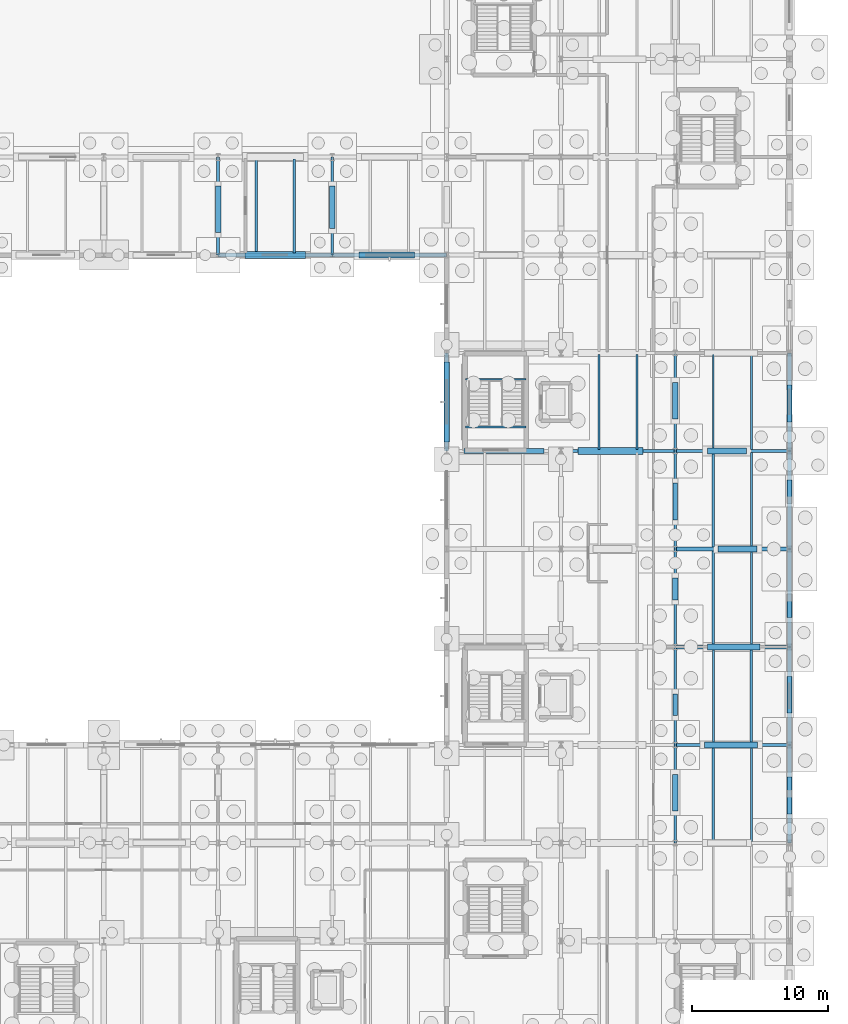
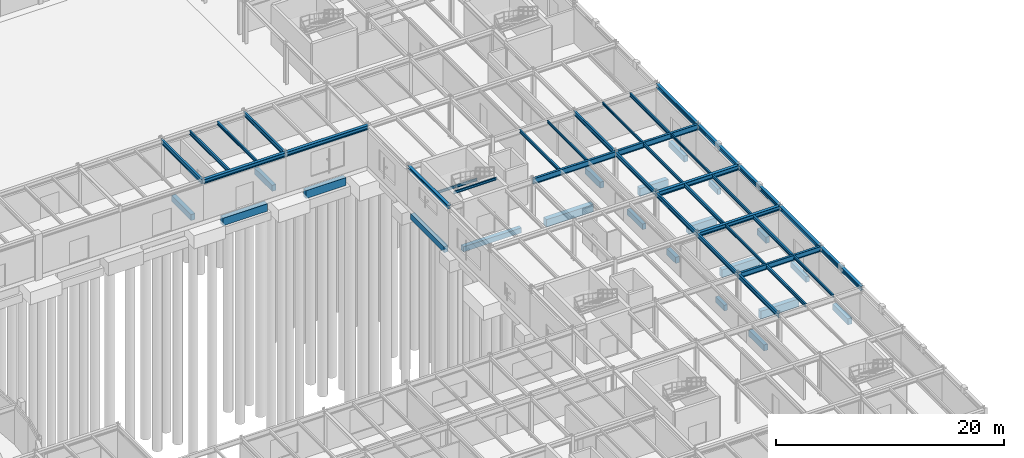
# One storey, part 45 of 93: 57 beams.
"""IFC4 building model written with IfcOpenShell, lengths in metres."""

from ifc_helpers import new_model, si_unit, derived_unit, direction, frame, origin, origin_2d, place, context, subcontext, project, spatial, rectangle, i_section, extrude, material, material_profile, profile_set, type_object, element, save


model = new_model("IFC4")

# Units and contexts
model_context = context("Model", 3, precision=1e-05, world=origin(), true_north=direction((0.0, 1.0)))
body_context = subcontext(model_context, "Body", "Model", "MODEL_VIEW")
ifc_project = project(units=[si_unit("LENGTHUNIT", "METRE"), si_unit("AREAUNIT", "SQUARE_METRE"), si_unit("VOLUMEUNIT", "CUBIC_METRE"), si_unit("PLANEANGLEUNIT", "RADIAN"), si_unit("MASSUNIT", "GRAM", prefix="KILO"), derived_unit("THERMALTRANSMITTANCEUNIT", [(si_unit("MASSUNIT", "GRAM", prefix="KILO"), 1), (si_unit("TIMEUNIT", "SECOND"), -3), (si_unit("THERMODYNAMICTEMPERATUREUNIT", "KELVIN"), -1)])], contexts=[model_context])

# Site, building, storey
site_placement = place(None, origin())
site = spatial("IfcSite", under=ifc_project, at=site_placement, CompositionType="ELEMENT")
building_placement = place(site_placement, origin())
building = spatial("IfcBuilding", under=site, at=building_placement, Name="Kharveza Railside Sports Centre", CompositionType="ELEMENT")
storey_placement = place(building_placement, origin())
storey = spatial("IfcBuildingStorey", under=building, at=storey_placement, Name="L00", CompositionType="ELEMENT", Elevation=0.0)

# Beams
ifc_material_1 = material(Name="Steel S355J2", Category="steel")
ifc_material_profile_1 = material_profile(ifc_material_1, i_section(OverallWidth=0.219970703125, OverallDepth=0.60009765625, WebThickness=0.011962890625, FlangeThickness=0.01904296875, FilletRadius=0.02392578125, at=origin_2d()), Name="IPE 600")
ifc_profile_set_1 = profile_set([ifc_material_profile_1], Name="Steel S355J2")
beam_type_1 = type_object("IfcBeamType", Name="BM-G01", PredefinedType="T_BEAM", material=ifc_profile_set_1)
beam_1_placement = place(storey_placement, frame((151.199951171875, 57.60009765625, 4.02001953125), z_axis=(1.0, 0.0, 0.0), x_axis=(0.0, 1.0, 0.0)))
element("IfcBeam", 1, at=beam_1_placement, inside=storey, type_object=beam_type_1, Name="BM-EW-L00-B01-X1512-Y576", PredefinedType="T_BEAM", context=body_context, shape_type="SweptSolid", body=[
    extrude(i_section(OverallWidth=0.219970703125, OverallDepth=0.60009765625, WebThickness=0.011962890625, FlangeThickness=0.01904296875, FilletRadius=0.02392578125, at=origin_2d()), origin(), (0.0, 0.0, 1.0), 8.400146484375),
])
beam_2_placement = place(storey_placement, frame((159.60009765625, 57.60009765625, 4.02001953125), z_axis=(1.0, 0.0, 0.0), x_axis=(0.0, 1.0, 0.0)))
element("IfcBeam", 2, at=beam_2_placement, inside=storey, type_object=beam_type_1, Name="BM-EW-L00-B01-X1596-Y576", PredefinedType="T_BEAM", context=body_context, shape_type="SweptSolid", body=[
    extrude(i_section(OverallWidth=0.219970703125, OverallDepth=0.60009765625, WebThickness=0.011962890625, FlangeThickness=0.01904296875, FilletRadius=0.02392578125, at=origin_2d()), origin(), (0.0, 0.0, 1.0), 8.39990234375),
])
ifc_material_profile_2 = material_profile(ifc_material_1, i_section(OverallWidth=0.2099609375, OverallDepth=0.550048828125, WebThickness=0.010986328125, FlangeThickness=0.01708984375, FilletRadius=0.02392578125, at=origin_2d()), Name="IPE 550")
ifc_profile_set_2 = profile_set([ifc_material_profile_2], Name="Steel S355J2")
beam_type_2 = type_object("IfcBeamType", Name="BM-G02", PredefinedType="T_BEAM", material=ifc_profile_set_2)
beam_3_placement = place(storey_placement, frame((159.60009765625, 36.0, 4.044921875), z_axis=(1.0, 0.0, 0.0), x_axis=(0.0, 1.0, 0.0)))
element("IfcBeam", 3, at=beam_3_placement, inside=storey, type_object=beam_type_2, Name="BM-EW-L00-B02-X1596-Y360", PredefinedType="T_BEAM", context=body_context, shape_type="SweptSolid", body=[
    extrude(i_section(OverallWidth=0.2099609375, OverallDepth=0.550048828125, WebThickness=0.010986328125, FlangeThickness=0.01708984375, FilletRadius=0.02392578125, at=origin_2d()), origin(), (0.0, 0.0, 1.0), 8.39990234375),
])
ifc_material_profile_3 = material_profile(ifc_material_1, i_section(OverallWidth=0.199951171875, OverallDepth=0.5, WebThickness=0.01025390625, FlangeThickness=0.01611328125, FilletRadius=0.02099609375, at=origin_2d()), Name="IPE 500")
ifc_profile_set_3 = profile_set([ifc_material_profile_3], Name="Steel S355J2")
beam_type_3 = type_object("IfcBeamType", Name="BM-G03", PredefinedType="T_BEAM", material=ifc_profile_set_3)
beam_4_placement = place(storey_placement, frame((126.0, 72.0, 4.070068359375), z_axis=(0.0, 1.0, 0.0), x_axis=(-1.0, 0.0, 0.0)))
element("IfcBeam", 4, at=beam_4_placement, inside=storey, type_object=beam_type_3, Name="BM-NS-L00-B03-X1260-Y720", PredefinedType="T_BEAM", context=body_context, shape_type="SweptSolid", body=[
    extrude(i_section(OverallWidth=0.199951171875, OverallDepth=0.5, WebThickness=0.01025390625, FlangeThickness=0.01611328125, FilletRadius=0.02099609375, at=origin_2d()), origin(), (0.0, 0.0, 1.0), 7.199951171875),
])
ifc_material_profile_4 = material_profile(ifc_material_1, i_section(OverallWidth=0.18994140625, OverallDepth=0.449951171875, WebThickness=0.009521484375, FlangeThickness=0.0146484375, FilletRadius=0.02099609375, at=origin_2d()), Name="IPE 450")
ifc_profile_set_4 = profile_set([ifc_material_profile_4], Name="Steel S355J2")
beam_type_4 = type_object("IfcBeamType", Name="BM-G04", PredefinedType="T_BEAM", material=ifc_profile_set_4)
for number, where, z_axis, x_axis, name in (
    (5, (134.39990234375, 72.0, 4.094970703125), (0.0, 1.0, 0.0), (-1.0, 0.0, 0.0), "BM-NS-L00-B04-X1344-Y720"),
    (6, (159.60009765625, 28.800048828125, 4.094970703125), (0.0, 1.0, 0.0), (-1.0, 0.0, 0.0), "BM-NS-L00-B04-X1596-Y288"),
    (7, (159.60009765625, 36.0, 4.094970703125), (0.0, 1.0, 0.0), (-1.0, 0.0, 0.0), "BM-NS-L00-B04-X1596-Y360"),
    (8, (159.60009765625, 43.199951171875, 4.094970703125), (0.0, 1.0, 0.0), (-1.0, 0.0, 0.0), "BM-NS-L00-B04-X1596-Y432"),
):
    element("IfcBeam", number, at=place(storey_placement, frame(where, z_axis=z_axis, x_axis=x_axis)), inside=storey, type_object=beam_type_4, Name=name, PredefinedType="T_BEAM", context=body_context, shape_type="SweptSolid", body=[
        extrude(i_section(OverallWidth=0.18994140625, OverallDepth=0.449951171875, WebThickness=0.009521484375, FlangeThickness=0.0146484375, FilletRadius=0.02099609375, at=origin_2d()), origin(), (0.0, 0.0, 1.0), 7.199951171875),
    ])
beam_5_placement = place(storey_placement, frame((159.60009765625, 50.39990234375, 4.094970703125), z_axis=(0.0, 1.0, 0.0), x_axis=(-1.0, 0.0, 0.0)))
element("IfcBeam", 9, at=beam_5_placement, inside=storey, type_object=beam_type_4, Name="BM-NS-L00-B04-X1596-Y504", PredefinedType="T_BEAM", context=body_context, shape_type="SweptSolid", body=[
    extrude(i_section(OverallWidth=0.18994140625, OverallDepth=0.449951171875, WebThickness=0.009521484375, FlangeThickness=0.0146484375, FilletRadius=0.02099609375, at=origin_2d()), origin(), (0.0, 0.0, 1.0), 7.2001953125),
])
beam_6_placement = place(storey_placement, frame((159.60009765625, 57.60009765625, 4.094970703125), z_axis=(0.0, 1.0, 0.0), x_axis=(-1.0, 0.0, 0.0)))
element("IfcBeam", 10, at=beam_6_placement, inside=storey, type_object=beam_type_4, Name="BM-NS-L00-B04-X1596-Y576", PredefinedType="T_BEAM", context=body_context, shape_type="SweptSolid", body=[
    extrude(i_section(OverallWidth=0.18994140625, OverallDepth=0.449951171875, WebThickness=0.009521484375, FlangeThickness=0.0146484375, FilletRadius=0.02099609375, at=origin_2d()), origin(), (0.0, 0.0, 1.0), 7.199951171875),
])
ifc_material_profile_5 = material_profile(ifc_material_1, i_section(OverallWidth=0.300048828125, OverallDepth=0.5, WebThickness=0.014404296875, FlangeThickness=0.028076171875, FilletRadius=0.027099609375, at=origin_2d()), Name="HEB 500")
ifc_profile_set_5 = profile_set([ifc_material_profile_5], Name="Steel S355J2")
beam_type_5 = type_object("IfcBeamType", Name="BM-G05", PredefinedType="T_BEAM", material=ifc_profile_set_5)
beam_7_placement = place(storey_placement, frame((159.60009765625, 50.39990234375, 4.070068359375), z_axis=(1.0, 0.0, 0.0), x_axis=(0.0, 1.0, 0.0)))
element("IfcBeam", 11, at=beam_7_placement, inside=storey, type_object=beam_type_5, Name="BM-EW-L00-B05-X1596-Y504", PredefinedType="T_BEAM", context=body_context, shape_type="SweptSolid", body=[
    extrude(i_section(OverallWidth=0.300048828125, OverallDepth=0.5, WebThickness=0.014404296875, FlangeThickness=0.028076171875, FilletRadius=0.027099609375, at=origin_2d()), origin(), (0.0, 0.0, 1.0), 8.39990234375),
])
ifc_material_profile_6 = material_profile(ifc_material_1, i_section(OverallWidth=0.300048828125, OverallDepth=0.449951171875, WebThickness=0.013916015625, FlangeThickness=0.02587890625, FilletRadius=0.027099609375, at=origin_2d()), Name="HEB 450")
ifc_profile_set_6 = profile_set([ifc_material_profile_6], Name="Steel S355J2")
beam_type_6 = type_object("IfcBeamType", Name="BM-G06", PredefinedType="T_BEAM", material=ifc_profile_set_6)
beam_8_placement = place(storey_placement, frame((126.0, 72.0, 4.094970703125), z_axis=(1.0, 0.0, 0.0), x_axis=(0.0, 1.0, 0.0)))
element("IfcBeam", 12, at=beam_8_placement, inside=storey, type_object=beam_type_6, Name="BM-EW-L00-B06-X1260-Y720", PredefinedType="T_BEAM", context=body_context, shape_type="SweptSolid", body=[
    extrude(i_section(OverallWidth=0.300048828125, OverallDepth=0.449951171875, WebThickness=0.013916015625, FlangeThickness=0.02587890625, FilletRadius=0.027099609375, at=origin_2d()), origin(), (0.0, 0.0, 1.0), 8.39990234375),
])
beam_9_placement = place(storey_placement, frame((134.39990234375, 72.0, 4.094970703125), z_axis=(1.0, 0.0, 0.0), x_axis=(0.0, 1.0, 0.0)))
element("IfcBeam", 13, at=beam_9_placement, inside=storey, type_object=beam_type_6, Name="BM-EW-L00-B06-X1344-Y720", PredefinedType="T_BEAM", context=body_context, shape_type="SweptSolid", body=[
    extrude(i_section(OverallWidth=0.300048828125, OverallDepth=0.449951171875, WebThickness=0.013916015625, FlangeThickness=0.02587890625, FilletRadius=0.027099609375, at=origin_2d()), origin(), (0.0, 0.0, 1.0), 8.400146484375),
])
beam_10_placement = place(storey_placement, frame((159.60009765625, 43.199951171875, 4.094970703125), z_axis=(1.0, 0.0, 0.0), x_axis=(0.0, 1.0, 0.0)))
element("IfcBeam", 14, at=beam_10_placement, inside=storey, type_object=beam_type_6, Name="BM-EW-L00-B06-X1596-Y432", PredefinedType="T_BEAM", context=body_context, shape_type="SweptSolid", body=[
    extrude(i_section(OverallWidth=0.300048828125, OverallDepth=0.449951171875, WebThickness=0.013916015625, FlangeThickness=0.02587890625, FilletRadius=0.027099609375, at=origin_2d()), origin(), (0.0, 0.0, 1.0), 8.39990234375),
])
ifc_material_2 = material(Name="Concrete C35/45", Category="concrete")
ifc_material_profile_7 = material_profile(ifc_material_2, rectangle(XDim=0.5, YDim=0.800048828125, at=origin_2d()), Name="RCB 500x800")
ifc_profile_set_7 = profile_set([ifc_material_profile_7], Name="Concrete C35/45")
beam_type_7 = type_object("IfcBeamType", Name="BM-RC01", PredefinedType="T_BEAM", material=ifc_profile_set_7)
beam_11_placement = place(storey_placement, frame((127.9599609375, 72.0, -0.820068359375), z_axis=(1.0, 0.0, 0.0), x_axis=(0.0, 1.0, 0.0)))
element("IfcBeam", 15, at=beam_11_placement, inside=storey, type_object=beam_type_7, Name="BM-PLINTH-EW-B25-X1260-Y720-1", PredefinedType="T_BEAM", context=body_context, shape_type="SweptSolid", body=[
    extrude(rectangle(XDim=0.5, YDim=0.800048828125, at=origin_2d()), origin(), (0.0, 0.0, 1.0), 4.47998046875),
])
beam_12_placement = place(storey_placement, frame((152.4599609375, 57.60009765625, -0.820068359375), z_axis=(1.0, 0.0, 0.0), x_axis=(0.0, 1.0, 0.0)))
element("IfcBeam", 16, at=beam_12_placement, inside=storey, type_object=beam_type_7, Name="BM-PLINTH-EW-B25-X1512-Y576-1", PredefinedType="T_BEAM", context=body_context, shape_type="SweptSolid", body=[
    extrude(rectangle(XDim=0.5, YDim=0.800048828125, at=origin_2d()), origin(), (0.0, 0.0, 1.0), 4.780029296875),
])
ifc_material_profile_8 = material_profile(ifc_material_2, rectangle(XDim=0.39990234375, YDim=0.64990234375, at=origin_2d()), Name="RCB 400x650")
ifc_profile_set_8 = profile_set([ifc_material_profile_8], Name="Concrete C35/45")
beam_type_8 = type_object("IfcBeamType", Name="BM-RC02", PredefinedType="BEAM", material=ifc_profile_set_8)
beam_13_placement = place(storey_placement, frame((126.0, 73.659912109375, -0.7451171875), z_axis=(0.0, 1.0, 0.0), x_axis=(-1.0, 0.0, 0.0)))
element("IfcBeam", 17, at=beam_13_placement, inside=storey, type_object=beam_type_8, Name="BM-PLINTH-NS-B26-X1260-Y720-1", PredefinedType="BEAM", context=body_context, shape_type="SweptSolid", body=[
    extrude(rectangle(XDim=0.39990234375, YDim=0.64990234375, at=origin_2d()), origin(), (0.0, 0.0, 1.0), 3.405029296875),
])
beam_14_placement = place(storey_placement, frame((134.39990234375, 73.9599609375, -0.7451171875), z_axis=(0.0, 1.0, 0.0), x_axis=(-1.0, 0.0, 0.0)))
element("IfcBeam", 18, at=beam_14_placement, inside=storey, type_object=beam_type_8, Name="BM-PLINTH-NS-B26-X1344-Y720-1", PredefinedType="BEAM", context=body_context, shape_type="SweptSolid", body=[
    extrude(rectangle(XDim=0.39990234375, YDim=0.64990234375, at=origin_2d()), origin(), (0.0, 0.0, 1.0), 3.10498046875),
])
beam_15_placement = place(storey_placement, frame((142.800048828125, 58.260009765625, -0.7451171875), z_axis=(0.0, 1.0, 0.0), x_axis=(-1.0, 0.0, 0.0)))
element("IfcBeam", 19, at=beam_15_placement, inside=storey, type_object=beam_type_8, Name="BM-PLINTH-NS-B26-X1428-Y576-1", PredefinedType="BEAM", context=body_context, shape_type="SweptSolid", body=[
    extrude(rectangle(XDim=0.39990234375, YDim=0.64990234375, at=origin_2d()), origin(), (0.0, 0.0, 1.0), 5.8798828125),
])
beam_16_placement = place(storey_placement, frame((159.60009765625, 31.159912109375, -0.7451171875), z_axis=(0.0, 1.0, 0.0), x_axis=(-1.0, 0.0, 0.0)))
element("IfcBeam", 20, at=beam_16_placement, inside=storey, type_object=beam_type_8, Name="BM-PLINTH-NS-B26-X1596-Y288-1", PredefinedType="BEAM", context=body_context, shape_type="SweptSolid", body=[
    extrude(rectangle(XDim=0.39990234375, YDim=0.64990234375, at=origin_2d()), origin(), (0.0, 0.0, 1.0), 2.68017578125),
])
beam_17_placement = place(storey_placement, frame((159.60009765625, 46.659912109375, -0.7451171875), z_axis=(0.0, 1.0, 0.0), x_axis=(-1.0, 0.0, 0.0)))
element("IfcBeam", 21, at=beam_17_placement, inside=storey, type_object=beam_type_8, Name="BM-PLINTH-NS-B26-X1596-Y432-1", PredefinedType="BEAM", context=body_context, shape_type="SweptSolid", body=[
    extrude(rectangle(XDim=0.39990234375, YDim=0.64990234375, at=origin_2d()), origin(), (0.0, 0.0, 1.0), 1.60498046875),
])
beam_18_placement = place(storey_placement, frame((159.60009765625, 59.9599609375, -0.7451171875), z_axis=(0.0, 1.0, 0.0), x_axis=(-1.0, 0.0, 0.0)))
element("IfcBeam", 22, at=beam_18_placement, inside=storey, type_object=beam_type_8, Name="BM-PLINTH-NS-B26-X1596-Y576-1", PredefinedType="BEAM", context=body_context, shape_type="SweptSolid", body=[
    extrude(rectangle(XDim=0.39990234375, YDim=0.64990234375, at=origin_2d()), origin(), (0.0, 0.0, 1.0), 2.679931640625),
])
beam_19_placement = place(storey_placement, frame((168.0, 30.93505859375, -0.7451171875), z_axis=(0.0, 1.0, 0.0), x_axis=(-1.0, 0.0, 0.0)))
element("IfcBeam", 23, at=beam_19_placement, inside=storey, type_object=beam_type_8, Name="BM-PLINTH-NS-B26-X1680-Y288-1", PredefinedType="BEAM", context=body_context, shape_type="SweptSolid", body=[
    extrude(rectangle(XDim=0.39990234375, YDim=0.64990234375, at=origin_2d()), origin(), (0.0, 0.0, 1.0), 2.704833984375),
])
beam_20_placement = place(storey_placement, frame((168.0, 45.360107421875, -0.7451171875), z_axis=(0.0, 1.0, 0.0), x_axis=(-1.0, 0.0, 0.0)))
element("IfcBeam", 24, at=beam_20_placement, inside=storey, type_object=beam_type_8, Name="BM-PLINTH-NS-B26-X1680-Y432-1", PredefinedType="BEAM", context=body_context, shape_type="SweptSolid", body=[
    extrude(rectangle(XDim=0.39990234375, YDim=0.64990234375, at=origin_2d()), origin(), (0.0, 0.0, 1.0), 1.579833984375),
])
beam_21_placement = place(storey_placement, frame((168.0, 59.735107421875, -0.7451171875), z_axis=(0.0, 1.0, 0.0), x_axis=(-1.0, 0.0, 0.0)))
element("IfcBeam", 25, at=beam_21_placement, inside=storey, type_object=beam_type_8, Name="BM-PLINTH-NS-B26-X1680-Y576-1", PredefinedType="BEAM", context=body_context, shape_type="SweptSolid", body=[
    extrude(rectangle(XDim=0.39990234375, YDim=0.64990234375, at=origin_2d()), origin(), (0.0, 0.0, 1.0), 2.704833984375),
])
ifc_material_profile_9 = material_profile(ifc_material_2, rectangle(XDim=0.449951171875, YDim=0.85009765625, at=origin_2d()), Name="RCB 450x850")
ifc_profile_set_9 = profile_set([ifc_material_profile_9], Name="Concrete C35/45")
beam_type_9 = type_object("IfcBeamType", Name="BM-RC05", PredefinedType="T_BEAM", material=ifc_profile_set_9)
beam_22_placement = place(storey_placement, frame((136.360107421875, 72.0, -0.844970703125), z_axis=(1.0, 0.0, 0.0), x_axis=(0.0, 1.0, 0.0)))
element("IfcBeam", 26, at=beam_22_placement, inside=storey, type_object=beam_type_9, Name="BM-PLINTH-EW-B29-X1344-Y720-1", PredefinedType="T_BEAM", context=body_context, shape_type="SweptSolid", body=[
    extrude(rectangle(XDim=0.449951171875, YDim=0.85009765625, at=origin_2d()), origin(), (0.0, 0.0, 1.0), 4.079833984375),
])
beam_23_placement = place(storey_placement, frame((161.760009765625, 36.0, -0.844970703125), z_axis=(1.0, 0.0, 0.0), x_axis=(0.0, 1.0, 0.0)))
element("IfcBeam", 27, at=beam_23_placement, inside=storey, type_object=beam_type_9, Name="BM-PLINTH-EW-B29-X1596-Y360-1", PredefinedType="T_BEAM", context=body_context, shape_type="SweptSolid", body=[
    extrude(rectangle(XDim=0.449951171875, YDim=0.85009765625, at=origin_2d()), origin(), (0.0, 0.0, 1.0), 3.8798828125),
])
beam_24_placement = place(storey_placement, frame((161.985107421875, 43.199951171875, -0.844970703125), z_axis=(1.0, 0.0, 0.0), x_axis=(0.0, 1.0, 0.0)))
element("IfcBeam", 28, at=beam_24_placement, inside=storey, type_object=beam_type_9, Name="BM-PLINTH-EW-B29-X1596-Y432-1", PredefinedType="T_BEAM", context=body_context, shape_type="SweptSolid", body=[
    extrude(rectangle(XDim=0.449951171875, YDim=0.85009765625, at=origin_2d()), origin(), (0.0, 0.0, 1.0), 3.85498046875),
])
beam_25_placement = place(storey_placement, frame((162.760009765625, 50.39990234375, -0.844970703125), z_axis=(1.0, 0.0, 0.0), x_axis=(0.0, 1.0, 0.0)))
element("IfcBeam", 29, at=beam_25_placement, inside=storey, type_object=beam_type_9, Name="BM-PLINTH-EW-B29-X1596-Y504-1", PredefinedType="T_BEAM", context=body_context, shape_type="SweptSolid", body=[
    extrude(rectangle(XDim=0.449951171875, YDim=0.85009765625, at=origin_2d()), origin(), (0.0, 0.0, 1.0), 2.85498046875),
])
beam_26_placement = place(storey_placement, frame((161.9599609375, 57.60009765625, -0.844970703125), z_axis=(1.0, 0.0, 0.0), x_axis=(0.0, 1.0, 0.0)))
element("IfcBeam", 30, at=beam_26_placement, inside=storey, type_object=beam_type_9, Name="BM-PLINTH-EW-B29-X1596-Y576-1", PredefinedType="T_BEAM", context=body_context, shape_type="SweptSolid", body=[
    extrude(rectangle(XDim=0.449951171875, YDim=0.85009765625, at=origin_2d()), origin(), (0.0, 0.0, 1.0), 2.880126953125),
])
ifc_material_profile_10 = material_profile(ifc_material_2, rectangle(XDim=0.35009765625, YDim=0.60009765625, at=origin_2d()), Name="RCB 350x600")
ifc_profile_set_10 = profile_set([ifc_material_profile_10], Name="Concrete C35/45")
beam_type_10 = type_object("IfcBeamType", Name="BM-RC06", PredefinedType="BEAM", material=ifc_profile_set_10)
beam_27_placement = place(storey_placement, frame((159.60009765625, 38.159912109375, -0.719970703125), z_axis=(0.0, 1.0, 0.0), x_axis=(-1.0, 0.0, 0.0)))
element("IfcBeam", 31, at=beam_27_placement, inside=storey, type_object=beam_type_10, Name="BM-PLINTH-NS-B30-X1596-Y360-1", PredefinedType="BEAM", context=body_context, shape_type="SweptSolid", body=[
    extrude(rectangle(XDim=0.35009765625, YDim=0.60009765625, at=origin_2d()), origin(), (0.0, 0.0, 1.0), 1.580078125),
])
beam_28_placement = place(storey_placement, frame((159.60009765625, 52.534912109375, -0.719970703125), z_axis=(0.0, 1.0, 0.0), x_axis=(-1.0, 0.0, 0.0)))
element("IfcBeam", 32, at=beam_28_placement, inside=storey, type_object=beam_type_10, Name="BM-PLINTH-NS-B30-X1596-Y504-1", PredefinedType="BEAM", context=body_context, shape_type="SweptSolid", body=[
    extrude(rectangle(XDim=0.35009765625, YDim=0.60009765625, at=origin_2d()), origin(), (0.0, 0.0, 1.0), 2.705078125),
])
beam_29_placement = place(storey_placement, frame((168.0, 38.360107421875, -0.719970703125), z_axis=(0.0, 1.0, 0.0), x_axis=(-1.0, 0.0, 0.0)))
element("IfcBeam", 33, at=beam_29_placement, inside=storey, type_object=beam_type_10, Name="BM-PLINTH-NS-B30-X1680-Y360-1", PredefinedType="BEAM", context=body_context, shape_type="SweptSolid", body=[
    extrude(rectangle(XDim=0.35009765625, YDim=0.60009765625, at=origin_2d()), origin(), (0.0, 0.0, 1.0), 2.679931640625),
])
beam_30_placement = place(storey_placement, frame((168.0, 53.860107421875, -0.719970703125), z_axis=(0.0, 1.0, 0.0), x_axis=(-1.0, 0.0, 0.0)))
element("IfcBeam", 34, at=beam_30_placement, inside=storey, type_object=beam_type_10, Name="BM-PLINTH-NS-B30-X1680-Y504-1", PredefinedType="BEAM", context=body_context, shape_type="SweptSolid", body=[
    extrude(rectangle(XDim=0.35009765625, YDim=0.60009765625, at=origin_2d()), origin(), (0.0, 0.0, 1.0), 1.60498046875),
])
ifc_material_profile_11 = material_profile(ifc_material_2, rectangle(XDim=0.39990234375, YDim=0.550048828125, at=origin_2d()), Name="RCB 400x550")
ifc_profile_set_11 = profile_set([ifc_material_profile_11], Name="Concrete C35/45")
beam_type_11 = type_object("IfcBeamType", Name="BM-RC07", PredefinedType="LINTEL", material=ifc_profile_set_11)
beam_31_placement = place(storey_placement, frame((144.06005859375, 57.60009765625, -0.695068359375), z_axis=(1.0, 0.0, 0.0), x_axis=(0.0, 1.0, 0.0)))
element("IfcBeam", 35, at=beam_31_placement, inside=storey, type_object=beam_type_11, Name="BM-PLINTH-EW-B31-X1428-Y576-1", PredefinedType="LINTEL", context=body_context, shape_type="SweptSolid", body=[
    extrude(rectangle(XDim=0.39990234375, YDim=0.550048828125, at=origin_2d()), origin(), (0.0, 0.0, 1.0), 5.8798828125),
])
ifc_material_profile_12 = material_profile(ifc_material_1, i_section(OverallWidth=0.179931640625, OverallDepth=0.39990234375, WebThickness=0.008544921875, FlangeThickness=0.013427734375, FilletRadius=0.02099609375, at=origin_2d()), Name="IPE 400")
ifc_profile_set_12 = profile_set([ifc_material_profile_12], Name="Steel S355J2")
beam_type_12 = type_object("IfcBeamType", Name="BM-S01", PredefinedType="BEAM", material=ifc_profile_set_12)
beam_32_placement = place(storey_placement, frame((128.800048828125, 72.14697265625, 4.1201171875), z_axis=(0.0, 1.0, 0.0), x_axis=(-1.0, 0.0, 0.0)))
element("IfcBeam", 36, at=beam_32_placement, inside=storey, type_object=beam_type_12, Name="BM-SEC-L00-B09-X1288-Y720", PredefinedType="BEAM", context=body_context, shape_type="SweptSolid", body=[
    extrude(i_section(OverallWidth=0.179931640625, OverallDepth=0.39990234375, WebThickness=0.008544921875, FlangeThickness=0.013427734375, FilletRadius=0.02099609375, at=origin_2d()), origin(), (0.0, 0.0, 1.0), 6.906005859375),
])
beam_33_placement = place(storey_placement, frame((165.199951171875, 36.10205078125, 4.1201171875), z_axis=(0.0, 1.0, 0.0), x_axis=(-1.0, 0.0, 0.0)))
element("IfcBeam", 37, at=beam_33_placement, inside=storey, type_object=beam_type_12, Name="BM-SEC-L00-B09-X1652-Y360", PredefinedType="BEAM", context=body_context, shape_type="SweptSolid", body=[
    extrude(i_section(OverallWidth=0.179931640625, OverallDepth=0.39990234375, WebThickness=0.008544921875, FlangeThickness=0.013427734375, FilletRadius=0.02099609375, at=origin_2d()), origin(), (0.0, 0.0, 1.0), 6.950927734375),
])
beam_34_placement = place(storey_placement, frame((162.39990234375, 43.346923828125, 4.1201171875), z_axis=(0.0, 1.0, 0.0), x_axis=(-1.0, 0.0, 0.0)))
element("IfcBeam", 38, at=beam_34_placement, inside=storey, type_object=beam_type_12, Name="BM-SEC-L00-B09-X1624-Y432", PredefinedType="BEAM", context=body_context, shape_type="SweptSolid", body=[
    extrude(i_section(OverallWidth=0.179931640625, OverallDepth=0.39990234375, WebThickness=0.008544921875, FlangeThickness=0.013427734375, FilletRadius=0.02099609375, at=origin_2d()), origin(), (0.0, 0.0, 1.0), 6.906005859375),
])
ifc_material_profile_13 = material_profile(ifc_material_1, i_section(OverallWidth=0.169921875, OverallDepth=0.360107421875, WebThickness=0.008056640625, FlangeThickness=0.0126953125, FilletRadius=0.01806640625, at=origin_2d()), Name="IPE 360")
ifc_profile_set_13 = profile_set([ifc_material_profile_13], Name="Steel S355J2")
beam_type_13 = type_object("IfcBeamType", Name="BM-S02", PredefinedType="BEAM", material=ifc_profile_set_13)
for number, where, z_axis, x_axis, name in (
    (39, (162.39990234375, 28.906982421875, 4.139892578125), (0.0, 1.0, 0.0), (-1.0, 0.0, 0.0), "BM-SEC-L00-B10-X1624-Y288"),
    (40, (165.199951171875, 57.70703125, 4.139892578125), (0.0, 1.0, 0.0), (-1.0, 0.0, 0.0), "BM-SEC-L00-B10-X1652-Y576"),
):
    element("IfcBeam", number, at=place(storey_placement, frame(where, z_axis=z_axis, x_axis=x_axis)), inside=storey, type_object=beam_type_13, Name=name, PredefinedType="BEAM", context=body_context, shape_type="SweptSolid", body=[
        extrude(i_section(OverallWidth=0.169921875, OverallDepth=0.360107421875, WebThickness=0.008056640625, FlangeThickness=0.0126953125, FilletRadius=0.01806640625, at=origin_2d()), origin(), (0.0, 0.0, 1.0), 6.990966796875),
    ])
ifc_material_profile_14 = material_profile(ifc_material_1, i_section(OverallWidth=0.159912109375, OverallDepth=0.330078125, WebThickness=0.007568359375, FlangeThickness=0.011474609375, FilletRadius=0.01806640625, at=origin_2d()), Name="IPE 330")
ifc_profile_set_14 = profile_set([ifc_material_profile_14], Name="Steel S355J2")
beam_type_14 = type_object("IfcBeamType", Name="BM-S03", PredefinedType="BEAM", material=ifc_profile_set_14)
beam_35_placement = place(storey_placement, frame((131.60009765625, 72.14697265625, 4.155029296875), z_axis=(0.0, 1.0, 0.0), x_axis=(-1.0, 0.0, 0.0)))
element("IfcBeam", 41, at=beam_35_placement, inside=storey, type_object=beam_type_14, Name="BM-SEC-L00-B11-X1316-Y720", PredefinedType="BEAM", context=body_context, shape_type="SweptSolid", body=[
    extrude(i_section(OverallWidth=0.159912109375, OverallDepth=0.330078125, WebThickness=0.007568359375, FlangeThickness=0.011474609375, FilletRadius=0.01806640625, at=origin_2d()), origin(), (0.0, 0.0, 1.0), 6.906005859375),
])
beam_36_placement = place(storey_placement, frame((154.0, 57.70703125, 4.155029296875), z_axis=(0.0, 1.0, 0.0), x_axis=(-1.0, 0.0, 0.0)))
element("IfcBeam", 42, at=beam_36_placement, inside=storey, type_object=beam_type_14, Name="BM-SEC-L00-B11-X1540-Y576", PredefinedType="BEAM", context=body_context, shape_type="SweptSolid", body=[
    extrude(i_section(OverallWidth=0.159912109375, OverallDepth=0.330078125, WebThickness=0.007568359375, FlangeThickness=0.011474609375, FilletRadius=0.01806640625, at=origin_2d()), origin(), (0.0, 0.0, 1.0), 6.990966796875),
])
beam_37_placement = place(storey_placement, frame((165.199951171875, 43.346923828125, 4.155029296875), z_axis=(0.0, 1.0, 0.0), x_axis=(-1.0, 0.0, 0.0)))
element("IfcBeam", 43, at=beam_37_placement, inside=storey, type_object=beam_type_14, Name="BM-SEC-L00-B11-X1652-Y432", PredefinedType="BEAM", context=body_context, shape_type="SweptSolid", body=[
    extrude(i_section(OverallWidth=0.159912109375, OverallDepth=0.330078125, WebThickness=0.007568359375, FlangeThickness=0.011474609375, FilletRadius=0.01806640625, at=origin_2d()), origin(), (0.0, 0.0, 1.0), 6.906005859375),
])
beam_38_placement = place(storey_placement, frame((162.39990234375, 50.547119140625, 4.155029296875), z_axis=(0.0, 1.0, 0.0), x_axis=(-1.0, 0.0, 0.0)))
element("IfcBeam", 44, at=beam_38_placement, inside=storey, type_object=beam_type_14, Name="BM-SEC-L00-B11-X1624-Y504", PredefinedType="BEAM", context=body_context, shape_type="SweptSolid", body=[
    extrude(i_section(OverallWidth=0.159912109375, OverallDepth=0.330078125, WebThickness=0.007568359375, FlangeThickness=0.011474609375, FilletRadius=0.01806640625, at=origin_2d()), origin(), (0.0, 0.0, 1.0), 6.94580078125),
])
ifc_material_profile_15 = material_profile(ifc_material_1, i_section(OverallWidth=0.14990234375, OverallDepth=0.300048828125, WebThickness=0.007080078125, FlangeThickness=0.0107421875, FilletRadius=0.014892578125, at=origin_2d()), Name="IPE 300")
ifc_profile_set_15 = profile_set([ifc_material_profile_15], Name="Steel S355J2")
beam_type_15 = type_object("IfcBeamType", Name="BM-S04", PredefinedType="BEAM", material=ifc_profile_set_15)
beam_39_placement = place(storey_placement, frame((165.199951171875, 28.906982421875, 4.169921875), z_axis=(0.0, 1.0, 0.0), x_axis=(-1.0, 0.0, 0.0)))
element("IfcBeam", 45, at=beam_39_placement, inside=storey, type_object=beam_type_15, Name="BM-SEC-L00-B12-X1652-Y288", PredefinedType="BEAM", context=body_context, shape_type="SweptSolid", body=[
    extrude(i_section(OverallWidth=0.14990234375, OverallDepth=0.300048828125, WebThickness=0.007080078125, FlangeThickness=0.0107421875, FilletRadius=0.014892578125, at=origin_2d()), origin(), (0.0, 0.0, 1.0), 6.990966796875),
])
beam_40_placement = place(storey_placement, frame((162.39990234375, 36.10205078125, 4.169921875), z_axis=(0.0, 1.0, 0.0), x_axis=(-1.0, 0.0, 0.0)))
element("IfcBeam", 46, at=beam_40_placement, inside=storey, type_object=beam_type_15, Name="BM-SEC-L00-B12-X1624-Y360", PredefinedType="BEAM", context=body_context, shape_type="SweptSolid", body=[
    extrude(i_section(OverallWidth=0.14990234375, OverallDepth=0.300048828125, WebThickness=0.007080078125, FlangeThickness=0.0107421875, FilletRadius=0.014892578125, at=origin_2d()), origin(), (0.0, 0.0, 1.0), 6.950927734375),
])
ifc_material_profile_16 = material_profile(ifc_material_1, i_section(OverallWidth=0.135009765625, OverallDepth=0.27001953125, WebThickness=0.006591796875, FlangeThickness=0.01025390625, FilletRadius=0.014892578125, at=origin_2d()), Name="IPE 270")
ifc_profile_set_16 = profile_set([ifc_material_profile_16], Name="Steel S355J2")
beam_type_16 = type_object("IfcBeamType", Name="BM-S05", PredefinedType="BEAM", material=ifc_profile_set_16)
beam_41_placement = place(storey_placement, frame((156.800048828125, 57.70703125, 4.18505859375), z_axis=(0.0, 1.0, 0.0), x_axis=(-1.0, 0.0, 0.0)))
element("IfcBeam", 47, at=beam_41_placement, inside=storey, type_object=beam_type_16, Name="BM-SEC-L00-B13-X1568-Y576", PredefinedType="BEAM", context=body_context, shape_type="SweptSolid", body=[
    extrude(i_section(OverallWidth=0.135009765625, OverallDepth=0.27001953125, WebThickness=0.006591796875, FlangeThickness=0.01025390625, FilletRadius=0.014892578125, at=origin_2d()), origin(), (0.0, 0.0, 1.0), 6.990966796875),
])
beam_42_placement = place(storey_placement, frame((165.199951171875, 50.547119140625, 4.18505859375), z_axis=(0.0, 1.0, 0.0), x_axis=(-1.0, 0.0, 0.0)))
element("IfcBeam", 48, at=beam_42_placement, inside=storey, type_object=beam_type_16, Name="BM-SEC-L00-B13-X1652-Y504", PredefinedType="BEAM", context=body_context, shape_type="SweptSolid", body=[
    extrude(i_section(OverallWidth=0.135009765625, OverallDepth=0.27001953125, WebThickness=0.006591796875, FlangeThickness=0.01025390625, FilletRadius=0.014892578125, at=origin_2d()), origin(), (0.0, 0.0, 1.0), 6.94580078125),
])
beam_43_placement = place(storey_placement, frame((162.39990234375, 57.70703125, 4.18505859375), z_axis=(0.0, 1.0, 0.0), x_axis=(-1.0, 0.0, 0.0)))
element("IfcBeam", 49, at=beam_43_placement, inside=storey, type_object=beam_type_16, Name="BM-SEC-L00-B13-X1624-Y576", PredefinedType="BEAM", context=body_context, shape_type="SweptSolid", body=[
    extrude(i_section(OverallWidth=0.135009765625, OverallDepth=0.27001953125, WebThickness=0.006591796875, FlangeThickness=0.01025390625, FilletRadius=0.014892578125, at=origin_2d()), origin(), (0.0, 0.0, 1.0), 6.990966796875),
])
for number, where, z_axis, x_axis, name in (
    (50, (144.179931640625, 62.8798828125, 1.929931640625), (1.0, 0.0, 0.0), (0.0, 1.0, 0.0), "BM-HLND-ST2-L00"),
    (51, (144.179931640625, 59.360107421875, 4.179931640625), (1.0, 0.0, 0.0), (0.0, 1.0, 0.0), "BM-STLND-ST2-L01"),
):
    element("IfcBeam", number, at=place(storey_placement, frame(where, z_axis=z_axis, x_axis=x_axis)), inside=storey, type_object=beam_type_16, Name=name, PredefinedType="BEAM", context=body_context, shape_type="SweptSolid", body=[
        extrude(i_section(OverallWidth=0.135009765625, OverallDepth=0.27001953125, WebThickness=0.006591796875, FlangeThickness=0.01025390625, FilletRadius=0.014892578125, at=origin_2d()), origin(), (0.0, 0.0, 1.0), 4.440185546875),
    ])
ifc_material_profile_17 = material_profile(ifc_material_1, i_section(OverallWidth=0.300048828125, OverallDepth=0.31005859375, WebThickness=0.009033203125, FlangeThickness=0.015380859375, FilletRadius=0.027099609375, at=origin_2d()), Name="HEA 320")
ifc_profile_set_17 = profile_set([ifc_material_profile_17], Name="Steel S355J2")
beam_type_17 = type_object("IfcBeamType", Name="BM-S06", PredefinedType="BEAM", material=ifc_profile_set_17)
beam_44_placement = place(storey_placement, frame((142.800048828125, 57.60009765625, 4.1650390625), z_axis=(0.0, 1.0, 0.0), x_axis=(-1.0, 0.0, 0.0)))
element("IfcBeam", 52, at=beam_44_placement, inside=storey, type_object=beam_type_17, Name="BM-NS-L00-B14-X1428-Y576", PredefinedType="BEAM", context=body_context, shape_type="SweptSolid", body=[
    extrude(i_section(OverallWidth=0.300048828125, OverallDepth=0.31005859375, WebThickness=0.009033203125, FlangeThickness=0.015380859375, FilletRadius=0.027099609375, at=origin_2d()), origin(), (0.0, 0.0, 1.0), 7.199951171875),
])
ifc_material_profile_18 = material_profile(ifc_material_1, i_section(OverallWidth=0.300048828125, OverallDepth=0.43994140625, WebThickness=0.011474609375, FlangeThickness=0.02099609375, FilletRadius=0.027099609375, at=origin_2d()), Name="HEA 450")
ifc_profile_set_18 = profile_set([ifc_material_profile_18], Name="Steel S355J2")
beam_type_18 = type_object("IfcBeamType", Name="BM-SP01", PredefinedType="SPANDREL", material=ifc_profile_set_18)
for number, where, z_axis, x_axis, name in (
    (53, (168.0, 28.800048828125, 4.10009765625), (0.0, 1.0, 0.0), (-1.0, 0.0, 0.0), "BM-NS-L00-B15-X1680-Y288"),
    (54, (168.0, 36.0, 4.10009765625), (0.0, 1.0, 0.0), (-1.0, 0.0, 0.0), "BM-NS-L00-B15-X1680-Y360"),
    (55, (168.0, 43.199951171875, 4.10009765625), (0.0, 1.0, 0.0), (-1.0, 0.0, 0.0), "BM-NS-L00-B15-X1680-Y432"),
):
    element("IfcBeam", number, at=place(storey_placement, frame(where, z_axis=z_axis, x_axis=x_axis)), inside=storey, type_object=beam_type_18, Name=name, PredefinedType="SPANDREL", context=body_context, shape_type="SweptSolid", body=[
        extrude(i_section(OverallWidth=0.300048828125, OverallDepth=0.43994140625, WebThickness=0.011474609375, FlangeThickness=0.02099609375, FilletRadius=0.027099609375, at=origin_2d()), origin(), (0.0, 0.0, 1.0), 7.199951171875),
    ])
beam_45_placement = place(storey_placement, frame((168.0, 50.39990234375, 4.10009765625), z_axis=(0.0, 1.0, 0.0), x_axis=(-1.0, 0.0, 0.0)))
element("IfcBeam", 56, at=beam_45_placement, inside=storey, type_object=beam_type_18, Name="BM-NS-L00-B15-X1680-Y504", PredefinedType="SPANDREL", context=body_context, shape_type="SweptSolid", body=[
    extrude(i_section(OverallWidth=0.300048828125, OverallDepth=0.43994140625, WebThickness=0.011474609375, FlangeThickness=0.02099609375, FilletRadius=0.027099609375, at=origin_2d()), origin(), (0.0, 0.0, 1.0), 7.2001953125),
])
beam_46_placement = place(storey_placement, frame((168.0, 57.60009765625, 4.10009765625), z_axis=(0.0, 1.0, 0.0), x_axis=(-1.0, 0.0, 0.0)))
element("IfcBeam", 57, at=beam_46_placement, inside=storey, type_object=beam_type_18, Name="BM-NS-L00-B15-X1680-Y576", PredefinedType="SPANDREL", context=body_context, shape_type="SweptSolid", body=[
    extrude(i_section(OverallWidth=0.300048828125, OverallDepth=0.43994140625, WebThickness=0.011474609375, FlangeThickness=0.02099609375, FilletRadius=0.027099609375, at=origin_2d()), origin(), (0.0, 0.0, 1.0), 7.199951171875),
])

save(model, "model.ifc")
